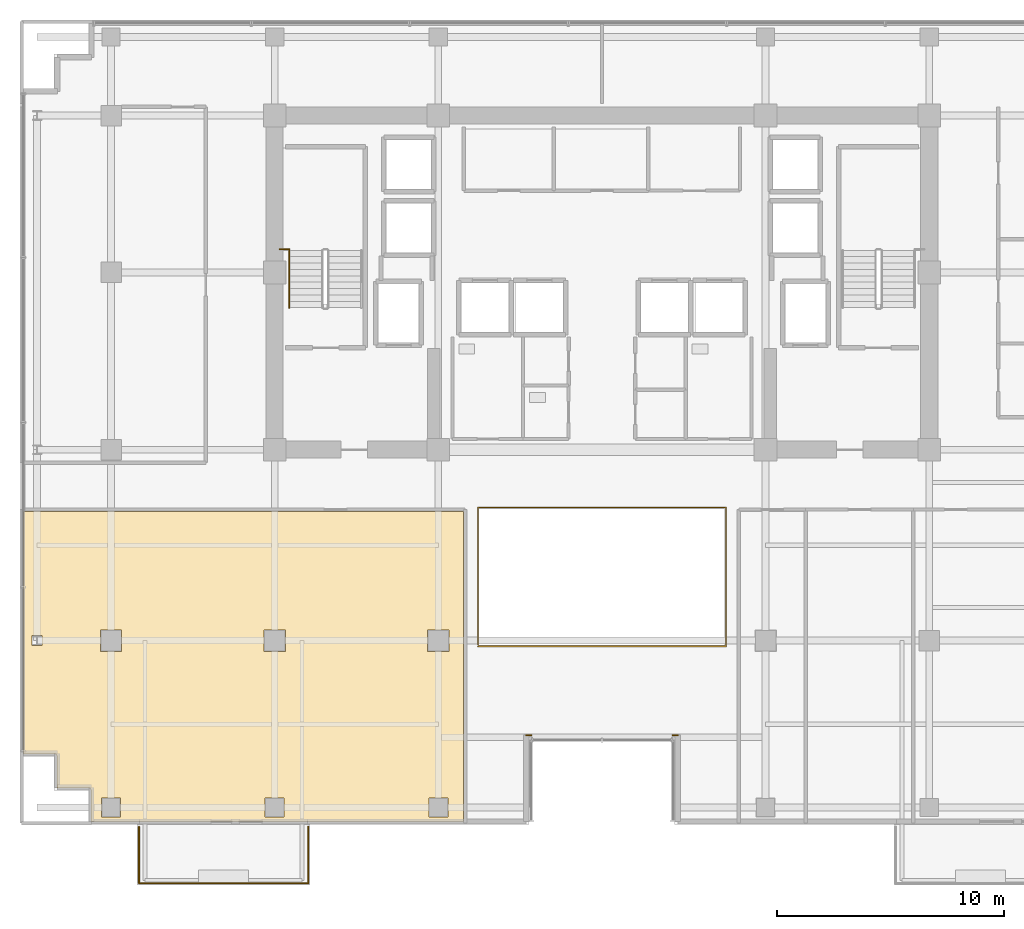
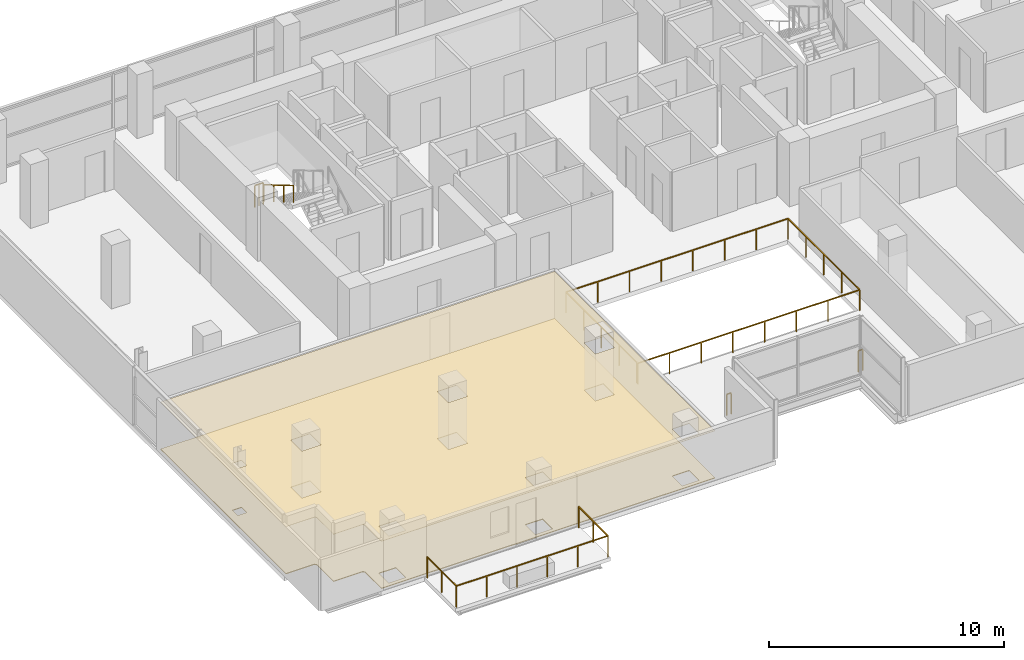
# One storey, part 21 of 24: 6 railings, 2 coverings.
"""IFC4 building model written with IfcOpenShell, lengths in metres."""

from ifc_helpers import new_model, si_unit, direction, frame, origin, origin_2d, place, context, subcontext, project, spatial, polyline, rectangle, outline, extrude, material, layer, layer_set, type_object, element, save


model = new_model("IFC4")

# Units and contexts
model_context = context("Model", 3, precision=1e-05, world=origin(), true_north=direction((0.0, 1.0)))
body_context = subcontext(model_context, "Body", "Model", "MODEL_VIEW")
ifc_project = project(units=[si_unit("LENGTHUNIT", "METRE"), si_unit("AREAUNIT", "SQUARE_METRE"), si_unit("VOLUMEUNIT", "CUBIC_METRE"), si_unit("PLANEANGLEUNIT", "RADIAN"), si_unit("MASSUNIT", "GRAM", prefix="KILO")], contexts=[model_context])

# Site, building, storey
site_placement = place(None, origin())
site = spatial("IfcSite", under=ifc_project, at=site_placement, CompositionType="ELEMENT")
building_placement = place(site_placement, origin())
building = spatial("IfcBuilding", under=site, at=building_placement, Name="Zarnakvel Exchange Tower", CompositionType="ELEMENT")
storey_placement = place(building_placement, frame((0.0, 0.0, 133.0)))
storey = spatial("IfcBuildingStorey", under=building, at=storey_placement, Name="L37", CompositionType="ELEMENT", Elevation=133.0)

# Coverings
ifc_material_1 = material(Name="Perforated Bronze Acoustic Metal Ceiling", Category="aluminium")
ifc_layer_1 = layer(ifc_material_1, 0.02001953125)
ifc_layer_set_1 = layer_set([ifc_layer_1], Name="Perforated Bronze Acoustic Metal Ceiling")
covering_type_1 = type_object("IfcCoveringType", Name="CLG-01", PredefinedType="CEILING", material=ifc_layer_set_1)
covering_1_placement = place(storey_placement, frame((0.0, 0.0, 2.455078125)))
element("IfcCovering", 1, at=covering_1_placement, inside=storey, type_object=covering_type_1, Name="L37 Suspended Acoustic Ceiling (Sovereign Wealth Office)", PredefinedType="CEILING", context=body_context, shape_type="SweptSolid", body=[
    extrude(outline(polyline([(-6.10009765625, -3.909912109375), (-6.10009765625, -17.550048828125), (-22.47998046875, -17.550048828125), (-22.47998046875, -16.199951171875), (-22.48046875, -16.188232421875), (-22.482421875, -16.176513671875), (-22.485107421875, -16.165283203125), (-22.489013671875, -16.154052734375), (-22.494140625, -16.143310546875), (-22.500244140625, -16.13330078125), (-22.50732421875, -16.123779296875), (-22.51513671875, -16.115234375), (-22.52392578125, -16.107177734375), (-22.533447265625, -16.100341796875), (-22.54345703125, -16.09423828125), (-22.55419921875, -16.089111328125), (-22.565185546875, -16.085205078125), (-22.57666015625, -16.082275390625), (-22.588134765625, -16.08056640625), (-22.60009765625, -16.080078125), (-23.97998046875, -16.080078125), (-23.97998046875, -14.699951171875), (-23.98046875, -14.688232421875), (-23.982421875, -14.676513671875), (-23.985107421875, -14.665283203125), (-23.989013671875, -14.654052734375), (-23.994140625, -14.643310546875), (-24.000244140625, -14.63330078125), (-24.00732421875, -14.623779296875), (-24.01513671875, -14.615234375), (-24.02392578125, -14.607177734375), (-24.033447265625, -14.600341796875), (-24.04345703125, -14.59423828125), (-24.05419921875, -14.589111328125), (-24.065185546875, -14.585205078125), (-24.07666015625, -14.582275390625), (-24.088134765625, -14.58056640625), (-24.10009765625, -14.580078125), (-25.449951171875, -14.580078125), (-25.449951171875, -3.909912109375), (-6.10009765625, -3.909912109375)]), holes=[polyline([(-7.669921875, -10.070068359375), (-6.72998046875, -10.070068359375), (-6.72998046875, -9.1298828125), (-7.669921875, -9.1298828125), (-7.669921875, -10.070068359375)]), polyline([(-6.780029296875, -17.3701171875), (-6.780029296875, -16.530029296875), (-7.6201171875, -16.530029296875), (-7.6201171875, -17.3701171875), (-6.780029296875, -17.3701171875)]), polyline([(-13.929931640625, -10.070068359375), (-13.929931640625, -9.1298828125), (-14.8701171875, -9.1298828125), (-14.8701171875, -10.070068359375), (-13.929931640625, -10.070068359375)]), polyline([(-13.97998046875, -17.3701171875), (-13.97998046875, -16.530029296875), (-14.820068359375, -16.530029296875), (-14.820068359375, -17.3701171875), (-13.97998046875, -17.3701171875)]), polyline([(-21.1298828125, -10.070068359375), (-21.1298828125, -9.1298828125), (-22.070068359375, -9.1298828125), (-22.070068359375, -10.070068359375), (-21.1298828125, -10.070068359375)]), polyline([(-21.179931640625, -17.3701171875), (-21.179931640625, -16.530029296875), (-22.02001953125, -16.530029296875), (-22.02001953125, -17.3701171875), (-21.179931640625, -17.3701171875)]), polyline([(-25.072021484375, -9.823486328125), (-24.6279296875, -9.823486328125), (-24.6279296875, -9.37646484375), (-25.072021484375, -9.37646484375), (-25.072021484375, -9.823486328125)])]), origin(), (0.0, 0.0, 1.0), 0.02001953125),
])
ifc_material_2 = material(Name="Heavy-Duty Raised Access Floor Panel", Category="steel")
ifc_layer_2 = layer(ifc_material_2, 0.034912109375)
ifc_layer_set_2 = layer_set([ifc_layer_2], Name="Heavy-Duty Raised Access Floor Panel")
covering_type_2 = type_object("IfcCoveringType", Name="FLR-02", PredefinedType="FLOORING", material=ifc_layer_set_2)
covering_2_placement = place(storey_placement, origin())
element("IfcCovering", 2, at=covering_2_placement, inside=storey, type_object=covering_type_2, Name="L37 Floor Finish (Sovereign Wealth Office)", PredefinedType="FLOORING", context=body_context, shape_type="SweptSolid", body=[
    extrude(outline(polyline([(-6.10009765625, -3.909912109375), (-6.10009765625, -17.550048828125), (-22.47998046875, -17.550048828125), (-22.47998046875, -16.199951171875), (-22.48046875, -16.188232421875), (-22.482421875, -16.176513671875), (-22.485107421875, -16.165283203125), (-22.489013671875, -16.154052734375), (-22.494140625, -16.143310546875), (-22.500244140625, -16.13330078125), (-22.50732421875, -16.123779296875), (-22.51513671875, -16.115234375), (-22.52392578125, -16.107177734375), (-22.533447265625, -16.100341796875), (-22.54345703125, -16.09423828125), (-22.55419921875, -16.089111328125), (-22.565185546875, -16.085205078125), (-22.57666015625, -16.082275390625), (-22.588134765625, -16.08056640625), (-22.60009765625, -16.080078125), (-23.97998046875, -16.080078125), (-23.97998046875, -14.699951171875), (-23.98046875, -14.688232421875), (-23.982421875, -14.676513671875), (-23.985107421875, -14.665283203125), (-23.989013671875, -14.654052734375), (-23.994140625, -14.643310546875), (-24.000244140625, -14.63330078125), (-24.00732421875, -14.623779296875), (-24.01513671875, -14.615234375), (-24.02392578125, -14.607177734375), (-24.033447265625, -14.600341796875), (-24.04345703125, -14.59423828125), (-24.05419921875, -14.589111328125), (-24.065185546875, -14.585205078125), (-24.07666015625, -14.582275390625), (-24.088134765625, -14.58056640625), (-24.10009765625, -14.580078125), (-25.449951171875, -14.580078125), (-25.449951171875, -3.909912109375), (-6.10009765625, -3.909912109375)]), holes=[polyline([(-7.669921875, -10.070068359375), (-6.72998046875, -10.070068359375), (-6.72998046875, -9.1298828125), (-7.669921875, -9.1298828125), (-7.669921875, -10.070068359375)]), polyline([(-6.780029296875, -17.3701171875), (-6.780029296875, -16.530029296875), (-7.6201171875, -16.530029296875), (-7.6201171875, -17.3701171875), (-6.780029296875, -17.3701171875)]), polyline([(-13.929931640625, -10.070068359375), (-13.929931640625, -9.1298828125), (-14.8701171875, -9.1298828125), (-14.8701171875, -10.070068359375), (-13.929931640625, -10.070068359375)]), polyline([(-13.97998046875, -17.3701171875), (-13.97998046875, -16.530029296875), (-14.820068359375, -16.530029296875), (-14.820068359375, -17.3701171875), (-13.97998046875, -17.3701171875)]), polyline([(-21.1298828125, -10.070068359375), (-21.1298828125, -9.1298828125), (-22.070068359375, -9.1298828125), (-22.070068359375, -10.070068359375), (-21.1298828125, -10.070068359375)]), polyline([(-21.179931640625, -17.3701171875), (-21.179931640625, -16.530029296875), (-22.02001953125, -16.530029296875), (-22.02001953125, -17.3701171875), (-21.179931640625, -17.3701171875)]), polyline([(-25.072021484375, -9.823486328125), (-24.6279296875, -9.823486328125), (-24.6279296875, -9.37646484375), (-25.072021484375, -9.37646484375), (-25.072021484375, -9.823486328125)])]), origin(), (0.0, 0.0, 1.0), 0.034912109375),
])

# Railings
ifc_material_3 = material(Name="Architectural Bronze Anodised Aluminium", Category="aluminium")
railing_type_1 = type_object("IfcRailingType", Name="GR-02", PredefinedType="GUARDRAIL", material=ifc_material_3)
railing_1_placement = place(storey_placement, frame((-20.3701171875, -17.780029296875, -0.034912109375)))
element("IfcRailing", 3, at=railing_1_placement, inside=storey, type_object=railing_type_1, Name="L37 Balcony Guardrail BAL-L37-SW", PredefinedType="GUARDRAIL", context=body_context, shape_type="SweptSolid", body=[
    extrude(rectangle(XDim=0.048095703125, YDim=0.048095703125, at=origin_2d()), frame((0.0, 0.0, 1.09619140625), z_axis=(0.0, -1.0, 0.0), x_axis=(1.0, 0.0, 0.0)), (0.0, 0.0, 1.0), 2.489990234375),
    extrude(rectangle(XDim=0.048095703125, YDim=0.048095703125, at=origin_2d()), frame((0.0, -2.489990234375, 1.09619140625), z_axis=(1.0, 0.0, 0.0), x_axis=(0.0, 1.0, 0.0)), (0.0, 0.0, 1.0), 7.440185546875),
    extrude(rectangle(XDim=0.048095703125, YDim=0.048095703125, at=origin_2d()), frame((7.440185546875, -2.489990234375, 1.09619140625), z_axis=(0.0, 1.0, 0.0), x_axis=(-1.0, 0.0, 0.0)), (0.0, 0.0, 1.0), 2.489990234375),
    extrude(rectangle(XDim=0.0419921875, YDim=0.0419921875, at=origin_2d()), origin(), (0.0, 0.0, 1.0), 1.072021484375),
    extrude(rectangle(XDim=0.0419921875, YDim=0.0419921875, at=origin_2d()), frame((0.0, -1.2451171875, 0.0)), (0.0, 0.0, 1.0), 1.072021484375),
    extrude(rectangle(XDim=0.0419921875, YDim=0.0419921875, at=origin_2d()), frame((0.0, -2.489990234375, 0.0)), (0.0, 0.0, 1.0), 1.072021484375),
    extrude(rectangle(XDim=0.0419921875, YDim=0.0419921875, at=origin_2d()), frame((1.488037109375, -2.489990234375, 0.0)), (0.0, 0.0, 1.0), 1.072021484375),
    extrude(rectangle(XDim=0.0419921875, YDim=0.0419921875, at=origin_2d()), frame((2.97607421875, -2.489990234375, 0.0)), (0.0, 0.0, 1.0), 1.072021484375),
    extrude(rectangle(XDim=0.0419921875, YDim=0.0419921875, at=origin_2d()), frame((4.464111328125, -2.489990234375, 0.0)), (0.0, 0.0, 1.0), 1.072021484375),
    extrude(rectangle(XDim=0.0419921875, YDim=0.0419921875, at=origin_2d()), frame((5.9521484375, -2.489990234375, 0.0)), (0.0, 0.0, 1.0), 1.072021484375),
    extrude(rectangle(XDim=0.0419921875, YDim=0.0419921875, at=origin_2d()), frame((7.440185546875, -2.489990234375, 0.0)), (0.0, 0.0, 1.0), 1.072021484375),
    extrude(rectangle(XDim=0.0419921875, YDim=0.0419921875, at=origin_2d()), frame((7.440185546875, -1.2451171875, 0.0)), (0.0, 0.0, 1.0), 1.072021484375),
    extrude(rectangle(XDim=0.0419921875, YDim=0.0419921875, at=origin_2d()), frame((7.440185546875, 0.0, 0.0)), (0.0, 0.0, 1.0), 1.072021484375),
])
for number, where, name in (
    (4, (3.340087890625, -13.760009765625, 0.0), "L37 Corner Spandrel Balustrade #18"),
    (5, (-3.1201171875, -13.760009765625, 0.0), "L37 Corner Spandrel Balustrade #19"),
):
    element("IfcRailing", number, at=place(storey_placement, frame(where)), inside=storey, type_object=railing_type_1, Name=name, PredefinedType="GUARDRAIL", context=body_context, shape_type="SweptSolid", body=[
        extrude(rectangle(XDim=0.048095703125, YDim=0.048095703125, at=origin_2d()), frame((0.0, 0.0, 1.09619140625), z_axis=(-1.0, 0.0, 0.0), x_axis=(0.0, -1.0, 0.0)), (0.0, 0.0, 1.0), 0.219970703125),
        extrude(rectangle(XDim=0.0419921875, YDim=0.0419921875, at=origin_2d()), origin(), (0.0, 0.0, 1.0), 1.072021484375),
        extrude(rectangle(XDim=0.0419921875, YDim=0.0419921875, at=origin_2d()), frame((-0.219970703125, 0.0, 0.0)), (0.0, 0.0, 1.0), 1.072021484375),
    ])
railing_type_2 = type_object("IfcRailingType", Name="GR-03", PredefinedType="GUARDRAIL", material=ifc_material_3)
railing_2_placement = place(storey_placement, frame((-5.449951171875, -9.85009765625, 0.0)))
element("IfcRailing", 6, at=railing_2_placement, inside=storey, type_object=railing_type_2, Name="L37 Atrium Void Perimeter Balustrade", PredefinedType="GUARDRAIL", context=body_context, shape_type="SweptSolid", body=[
    extrude(rectangle(XDim=0.048095703125, YDim=0.048095703125, at=origin_2d()), frame((0.0, 0.0, 1.076171875), z_axis=(1.0, 0.0, 0.0), x_axis=(0.0, 1.0, 0.0)), (0.0, 0.0, 1.0), 10.89990234375),
    extrude(rectangle(XDim=0.048095703125, YDim=0.048095703125, at=origin_2d()), frame((10.89990234375, 0.0, 1.076171875), z_axis=(0.0, 1.0, 0.0), x_axis=(-1.0, 0.0, 0.0)), (0.0, 0.0, 1.0), 6.10009765625),
    extrude(rectangle(XDim=0.048095703125, YDim=0.048095703125, at=origin_2d()), frame((10.89990234375, 6.10009765625, 1.076171875), z_axis=(-1.0, 0.0, 0.0), x_axis=(0.0, -1.0, 0.0)), (0.0, 0.0, 1.0), 10.89990234375),
    extrude(rectangle(XDim=0.048095703125, YDim=0.048095703125, at=origin_2d()), frame((0.0, 6.10009765625, 1.076171875), z_axis=(0.0, -1.0, 0.0), x_axis=(1.0, 0.0, 0.0)), (0.0, 0.0, 1.0), 6.02001953125),
    extrude(rectangle(XDim=0.0419921875, YDim=0.0419921875, at=origin_2d()), origin(), (0.0, 0.0, 1.0), 1.052001953125),
    extrude(rectangle(XDim=0.0419921875, YDim=0.0419921875, at=origin_2d()), frame((1.55712890625, 0.0, 0.0)), (0.0, 0.0, 1.0), 1.052001953125),
    extrude(rectangle(XDim=0.0419921875, YDim=0.0419921875, at=origin_2d()), frame((3.1142578125, 0.0, 0.0)), (0.0, 0.0, 1.0), 1.052001953125),
    extrude(rectangle(XDim=0.0419921875, YDim=0.0419921875, at=origin_2d()), frame((4.67138671875, 0.0, 0.0)), (0.0, 0.0, 1.0), 1.052001953125),
    extrude(rectangle(XDim=0.0419921875, YDim=0.0419921875, at=origin_2d()), frame((6.228515625, 0.0, 0.0)), (0.0, 0.0, 1.0), 1.052001953125),
    extrude(rectangle(XDim=0.0419921875, YDim=0.0419921875, at=origin_2d()), frame((7.78564453125, 0.0, 0.0)), (0.0, 0.0, 1.0), 1.052001953125),
    extrude(rectangle(XDim=0.0419921875, YDim=0.0419921875, at=origin_2d()), frame((9.3427734375, 0.0, 0.0)), (0.0, 0.0, 1.0), 1.052001953125),
    extrude(rectangle(XDim=0.0419921875, YDim=0.0419921875, at=origin_2d()), frame((10.89990234375, 0.0, 0.0)), (0.0, 0.0, 1.0), 1.052001953125),
    extrude(rectangle(XDim=0.0419921875, YDim=0.0419921875, at=origin_2d()), frame((10.89990234375, 1.52490234375, 0.0)), (0.0, 0.0, 1.0), 1.052001953125),
    extrude(rectangle(XDim=0.0419921875, YDim=0.0419921875, at=origin_2d()), frame((10.89990234375, 3.050048828125, 0.0)), (0.0, 0.0, 1.0), 1.052001953125),
    extrude(rectangle(XDim=0.0419921875, YDim=0.0419921875, at=origin_2d()), frame((10.89990234375, 4.5751953125, 0.0)), (0.0, 0.0, 1.0), 1.052001953125),
    extrude(rectangle(XDim=0.0419921875, YDim=0.0419921875, at=origin_2d()), frame((10.89990234375, 6.10009765625, 0.0)), (0.0, 0.0, 1.0), 1.052001953125),
    extrude(rectangle(XDim=0.0419921875, YDim=0.0419921875, at=origin_2d()), frame((9.3427734375, 6.10009765625, 0.0)), (0.0, 0.0, 1.0), 1.052001953125),
    extrude(rectangle(XDim=0.0419921875, YDim=0.0419921875, at=origin_2d()), frame((7.78564453125, 6.10009765625, 0.0)), (0.0, 0.0, 1.0), 1.052001953125),
    extrude(rectangle(XDim=0.0419921875, YDim=0.0419921875, at=origin_2d()), frame((6.228515625, 6.10009765625, 0.0)), (0.0, 0.0, 1.0), 1.052001953125),
    extrude(rectangle(XDim=0.0419921875, YDim=0.0419921875, at=origin_2d()), frame((4.67138671875, 6.10009765625, 0.0)), (0.0, 0.0, 1.0), 1.052001953125),
    extrude(rectangle(XDim=0.0419921875, YDim=0.0419921875, at=origin_2d()), frame((3.1142578125, 6.10009765625, 0.0)), (0.0, 0.0, 1.0), 1.052001953125),
    extrude(rectangle(XDim=0.0419921875, YDim=0.0419921875, at=origin_2d()), frame((1.55712890625, 6.10009765625, 0.0)), (0.0, 0.0, 1.0), 1.052001953125),
    extrude(rectangle(XDim=0.0419921875, YDim=0.0419921875, at=origin_2d()), frame((0.0, 6.10009765625, 0.0)), (0.0, 0.0, 1.0), 1.052001953125),
    extrude(rectangle(XDim=0.0419921875, YDim=0.0419921875, at=origin_2d()), frame((0.0, 4.59521484375, 0.0)), (0.0, 0.0, 1.0), 1.052001953125),
    extrude(rectangle(XDim=0.0419921875, YDim=0.0419921875, at=origin_2d()), frame((0.0, 3.090087890625, 0.0)), (0.0, 0.0, 1.0), 1.052001953125),
    extrude(rectangle(XDim=0.0419921875, YDim=0.0419921875, at=origin_2d()), frame((0.0, 1.5849609375, 0.0)), (0.0, 0.0, 1.0), 1.052001953125),
    extrude(rectangle(XDim=0.0419921875, YDim=0.0419921875, at=origin_2d()), frame((0.0, 0.080078125, 0.0)), (0.0, 0.0, 1.0), 1.052001953125),
])
ifc_material_4 = material(Name="Brushed Stainless Steel", Category="steel")
railing_type_3 = type_object("IfcRailingType", Name="HR-01", PredefinedType="HANDRAIL", material=ifc_material_4)
railing_3_placement = place(storey_placement, frame((-13.75, 7.570068359375, 1.81494140625)))
element("IfcRailing", 7, at=railing_3_placement, inside=storey, type_object=railing_type_3, Name="L37 ST-01 stair handrail 2", PredefinedType="HANDRAIL", context=body_context, shape_type="SweptSolid", body=[
    extrude(rectangle(XDim=0.048095703125, YDim=0.048095703125, at=origin_2d()), frame((0.0, 0.0, 0.8759765625), z_axis=(0.0, -0.86152411907, 0.507716645641), x_axis=(1.0, 0.0, 0.0)), (0.0, 0.0, 1.0), 2.925048828125),
    extrude(rectangle(XDim=0.0419921875, YDim=0.0419921875, at=origin_2d()), origin(), (0.0, 0.0, 1.0), 0.851806640625),
    extrude(rectangle(XDim=0.0419921875, YDim=0.0419921875, at=origin_2d()), frame((0.0, -0.840087890625, 0.4951171875)), (0.0, 0.0, 1.0), 0.851806640625),
    extrude(rectangle(XDim=0.0419921875, YDim=0.0419921875, at=origin_2d()), frame((0.0, -1.679931640625, 0.989990234375)), (0.0, 0.0, 1.0), 0.851806640625),
    extrude(rectangle(XDim=0.0419921875, YDim=0.0419921875, at=origin_2d()), frame((0.0, -2.52001953125, 1.485107421875)), (0.0, 0.0, 1.0), 0.851806640625),
])
railing_type_4 = type_object("IfcRailingType", Name="SG-01", PredefinedType="GUARDRAIL", material=ifc_material_3)
railing_4_placement = place(storey_placement, frame((-14.179931640625, 7.610107421875, 1.64990234375)))
element("IfcRailing", 8, at=railing_4_placement, inside=storey, type_object=railing_type_4, Name="L37 ST-01 Landing Slot Guardrail", PredefinedType="GUARDRAIL", context=body_context, shape_type="SweptSolid", body=[
    extrude(rectangle(XDim=0.048095703125, YDim=0.048095703125, at=origin_2d()), frame((0.0, 0.0, 1.1259765625), z_axis=(1.0, 0.0, 0.0), x_axis=(0.0, 1.0, 0.0)), (0.0, 0.0, 1.0), 0.429931640625),
    extrude(rectangle(XDim=0.0419921875, YDim=0.0419921875, at=origin_2d()), origin(), (0.0, 0.0, 1.0), 1.101806640625),
    extrude(rectangle(XDim=0.0419921875, YDim=0.0419921875, at=origin_2d()), frame((0.21484375, 0.0, 0.0)), (0.0, 0.0, 1.0), 1.101806640625),
    extrude(rectangle(XDim=0.0419921875, YDim=0.0419921875, at=origin_2d()), frame((0.429931640625, 0.0, 0.0)), (0.0, 0.0, 1.0), 1.101806640625),
])

save(model, "model.ifc")
